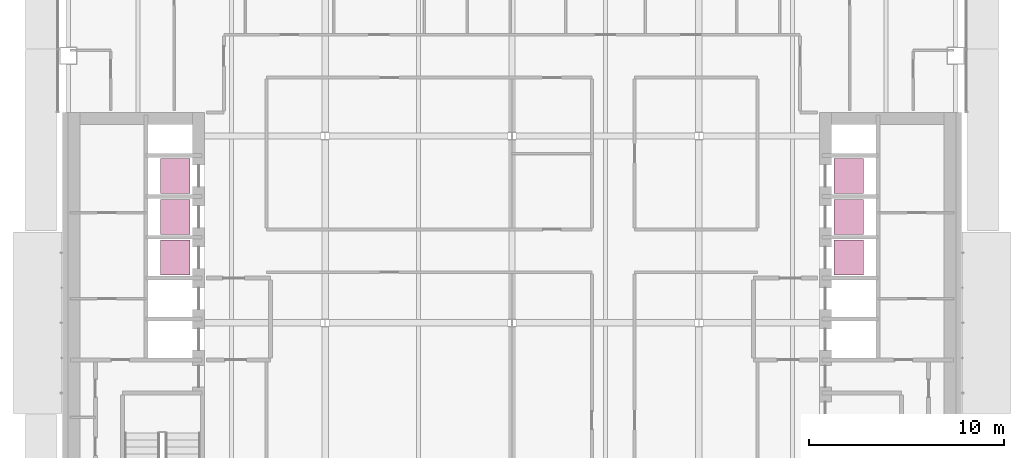
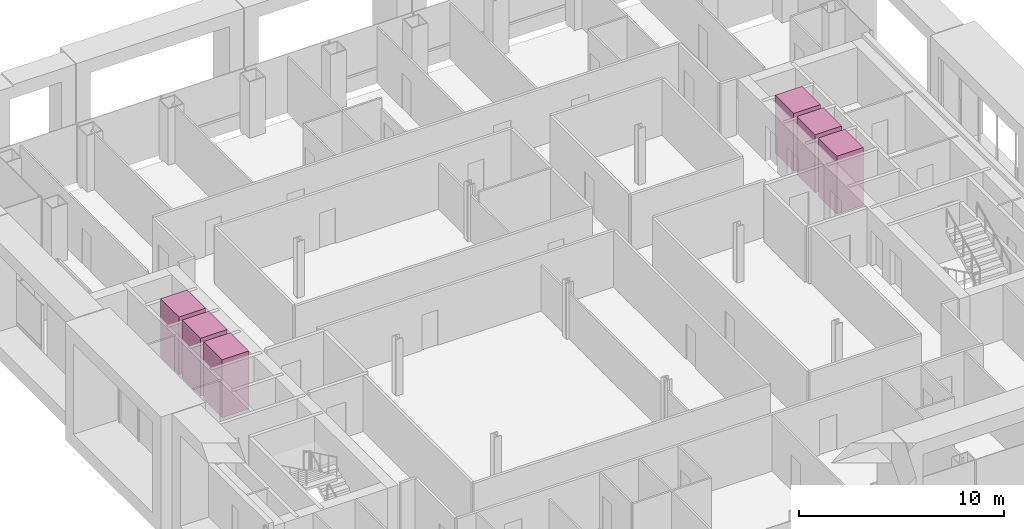
# One storey, part 20 of 20: 6 transport elements.
"""IFC4 building model written with IfcOpenShell, lengths in metres."""

from ifc_helpers import new_model, si_unit, direction, frame, origin, origin_2d, place, context, subcontext, project, spatial, rectangle, extrude, material, type_object, element, save


model = new_model("IFC4")

# Units and contexts
model_context = context("Model", 3, precision=1e-05, world=origin(), true_north=direction((0.0, 1.0)))
body_context = subcontext(model_context, "Body", "Model", "MODEL_VIEW")
ifc_project = project(units=[si_unit("LENGTHUNIT", "METRE"), si_unit("AREAUNIT", "SQUARE_METRE"), si_unit("VOLUMEUNIT", "CUBIC_METRE"), si_unit("PLANEANGLEUNIT", "RADIAN"), si_unit("MASSUNIT", "GRAM", prefix="KILO")], contexts=[model_context])

# Site, building, storey
site_placement = place(None, origin())
site = spatial("IfcSite", under=ifc_project, at=site_placement, CompositionType="ELEMENT")
building_placement = place(site_placement, origin())
building = spatial("IfcBuilding", under=site, at=building_placement, Name="Cobrizo Arcos Hotel Tower", CompositionType="ELEMENT")
storey_placement = place(building_placement, frame((0.0, 0.0, 110.0)))
storey = spatial("IfcBuildingStorey", under=building, at=storey_placement, Name="L27", CompositionType="ELEMENT", Elevation=110.0)

# Transport elements
ifc_material = material(Name="Stainless steel car", Category="steel")
transport_element_type = type_object("IfcTransportElementType", Name="Lift car Low 1.8x1.5", PredefinedType="ELEVATOR", material=ifc_material)
for number, where, z_axis, x_axis, name in (
    (1, (-17.300048828125, 3.35009765625, 0.0), (0.0, 0.0, 1.0), (1.0, 0.0, 0.0), "Low-rise passenger lift W1"),
    (2, (-17.300048828125, 5.449951171875, 0.0), (0.0, 0.0, 1.0), (1.0, 0.0, 0.0), "Low-rise passenger lift W2"),
    (3, (-17.300048828125, 7.550048828125, 0.0), (0.0, 0.0, 1.0), (1.0, 0.0, 0.0), "Low-rise passenger lift W3"),
    (4, (17.300048828125, 3.35009765625, 0.0), (0.0, 0.0, 1.0), (1.0, 0.0, 0.0), "Low-rise passenger lift E1"),
    (5, (17.300048828125, 5.449951171875, 0.0), (0.0, 0.0, 1.0), (1.0, 0.0, 0.0), "Low-rise passenger lift E2"),
    (6, (17.300048828125, 7.550048828125, 0.0), (0.0, 0.0, 1.0), (1.0, 0.0, 0.0), "Low-rise passenger lift E3"),
):
    element("IfcTransportElement", number, at=place(storey_placement, frame(where, z_axis=z_axis, x_axis=x_axis)), inside=storey, type_object=transport_element_type, Name=name, PredefinedType="ELEVATOR", context=body_context, shape_type="SweptSolid", body=[
        extrude(rectangle(XDim=1.5, YDim=1.800048828125, at=origin_2d()), origin(), (0.0, 0.0, 1.0), 3.449951171875),
    ])

save(model, "model.ifc")
